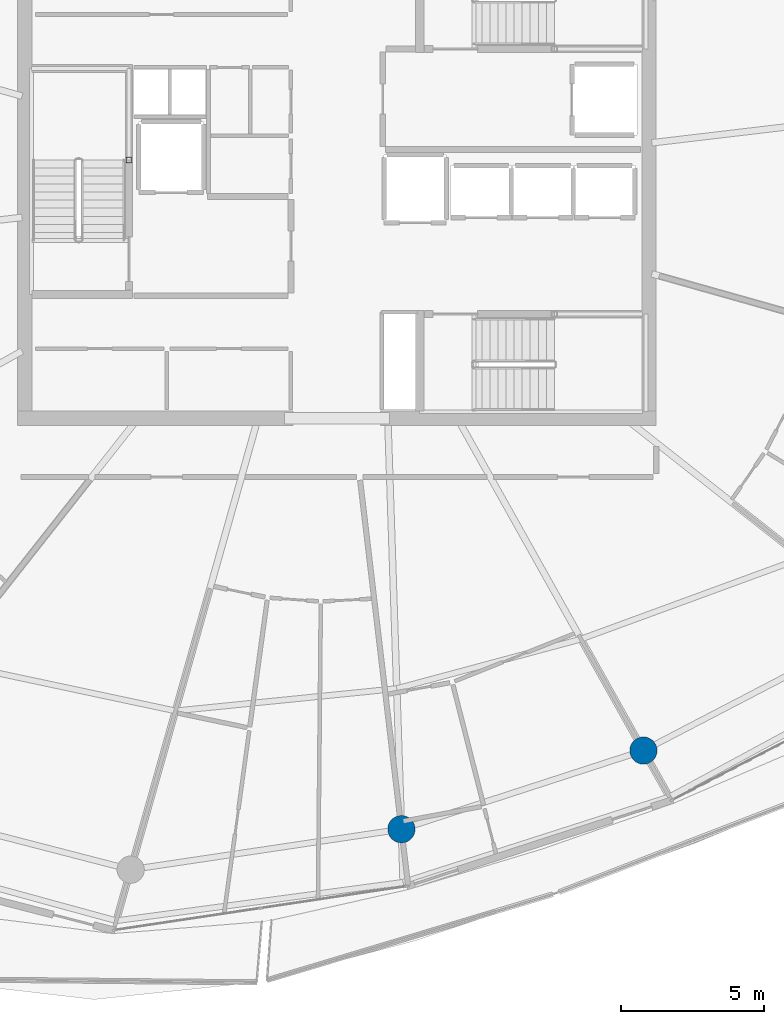
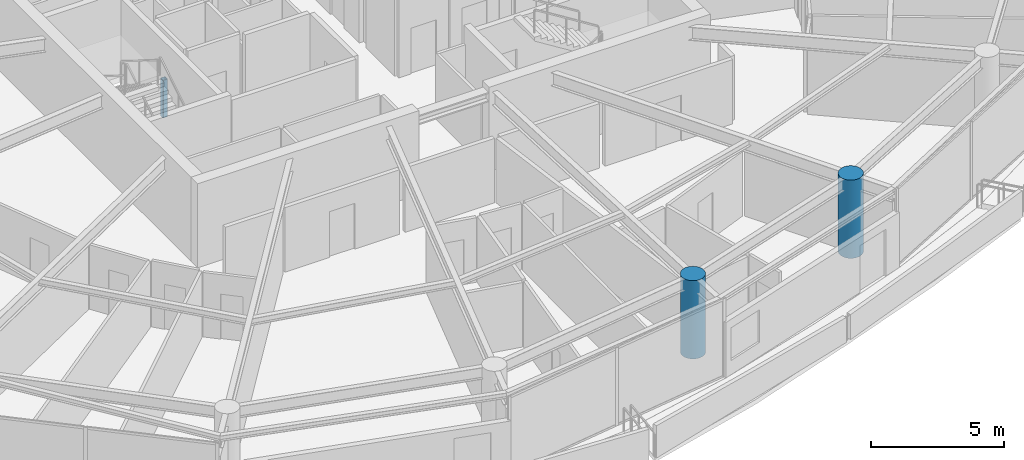
# One storey, part 2 of 31: 3 columns.
"""IFC4 building model written with IfcOpenShell, lengths in metres."""

from ifc_helpers import new_model, si_unit, direction, frame, origin, origin_2d, place, context, subcontext, project, spatial, hollow_rectangle, circle, extrude, material, material_profile, profile_set, type_object, element, save


model = new_model("IFC4")

# Units and contexts
model_context = context("Model", 3, precision=1e-05, world=origin(), true_north=direction((0.0, 1.0)))
body_context = subcontext(model_context, "Body", "Model", "MODEL_VIEW")
ifc_project = project(units=[si_unit("LENGTHUNIT", "METRE"), si_unit("AREAUNIT", "SQUARE_METRE"), si_unit("VOLUMEUNIT", "CUBIC_METRE"), si_unit("PLANEANGLEUNIT", "RADIAN"), si_unit("MASSUNIT", "GRAM", prefix="KILO")], contexts=[model_context])

# Site, building, storey
site_placement = place(None, origin())
site = spatial("IfcSite", under=ifc_project, at=site_placement, CompositionType="ELEMENT")
building_placement = place(site_placement, origin())
building = spatial("IfcBuilding", under=site, at=building_placement, Name="Kazma Halo Residences", CompositionType="ELEMENT")
storey_placement = place(building_placement, frame((0.0, 0.0, 275.199951171875)))
storey = spatial("IfcBuildingStorey", under=building, at=storey_placement, Name="L69", CompositionType="ELEMENT", Elevation=275.199951171875)

# Columns
ifc_material_1 = material(Name="Steel S355", Category="steel")
ifc_material_profile_1 = material_profile(ifc_material_1, hollow_rectangle(XDim=0.199951171875, YDim=0.199951171875, WallThickness=0.010009765625, InnerFilletRadius=0.010009765625, OuterFilletRadius=0.02001953125, at=origin_2d()), Name="SHS200x200x10")
ifc_profile_set_1 = profile_set([ifc_material_profile_1], Name="Steel S355")
column_type_1 = type_object("IfcColumnType", Name="COL-LP-SHS200", PredefinedType="COLUMN", material=ifc_profile_set_1)
column_placement = place(storey_placement, frame((41.179931640625, 42.75, 0.0), z_axis=(0.0, 0.0, 1.0), x_axis=(1.0, 0.0, 0.0)))
element("IfcColumn", 1, at=column_placement, inside=storey, type_object=column_type_1, Name="L69 ST-01 landing pilaster 1", PredefinedType="COLUMN", context=body_context, shape_type="SweptSolid", body=[
    extrude(hollow_rectangle(XDim=0.199951171875, YDim=0.199951171875, WallThickness=0.010009765625, InnerFilletRadius=0.010009765625, OuterFilletRadius=0.02001953125, at=origin_2d()), origin(), (0.0, 0.0, 1.0), 1.719970703125),
])
ifc_material_2 = material(Name="Concrete C60/75", Category="concrete")
ifc_material_profile_2 = material_profile(ifc_material_2, circle(Radius=0.47509765625, at=origin_2d()), Name="CIRC950")
ifc_profile_set_2 = profile_set([ifc_material_profile_2], Name="Concrete C60/75")
column_type_2 = type_object("IfcColumnType", Name="COL-PERIM-950", PredefinedType="COLUMN", material=ifc_profile_set_2)
for number, where, z_axis, x_axis, name in (
    (2, (50.67138671875, 19.42919921875, 0.0), (0.0, 0.0, 1.0), (1.0, 0.0, 0.0), "L69 perimeter ring column P12"),
    (3, (59.10546875, 22.169677734375, 0.0), (0.0, 0.0, 1.0), (1.0, 0.0, 0.0), "L69 perimeter ring column P13"),
):
    element("IfcColumn", number, at=place(storey_placement, frame(where, z_axis=z_axis, x_axis=x_axis)), inside=storey, type_object=column_type_2, Name=name, PredefinedType="COLUMN", context=body_context, shape_type="SweptSolid", body=[
        extrude(circle(Radius=0.47509765625, at=origin_2d()), origin(), (0.0, 0.0, 1.0), 3.590087890625),
    ])

save(model, "model.ifc")
